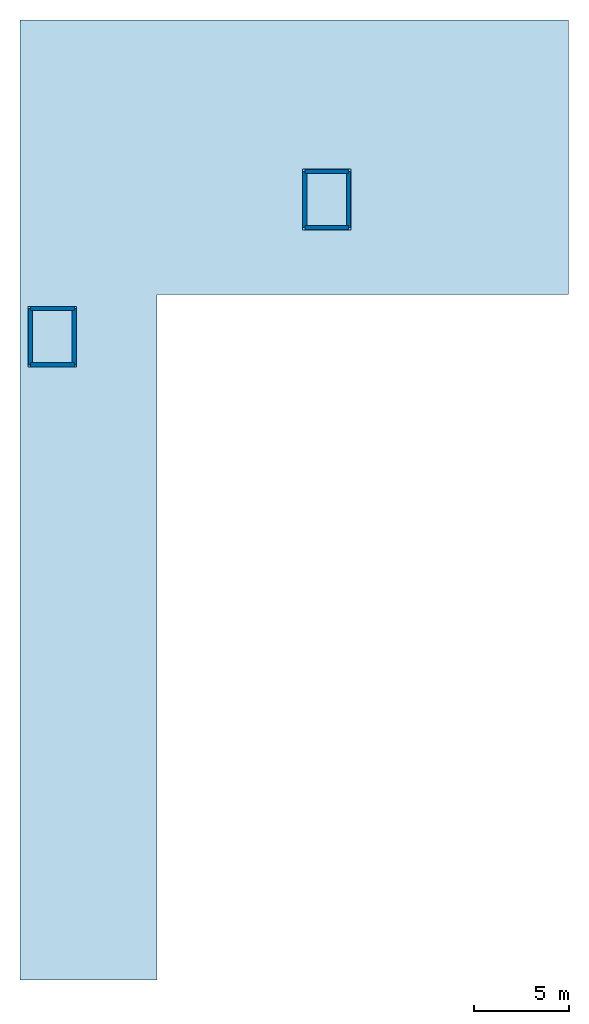
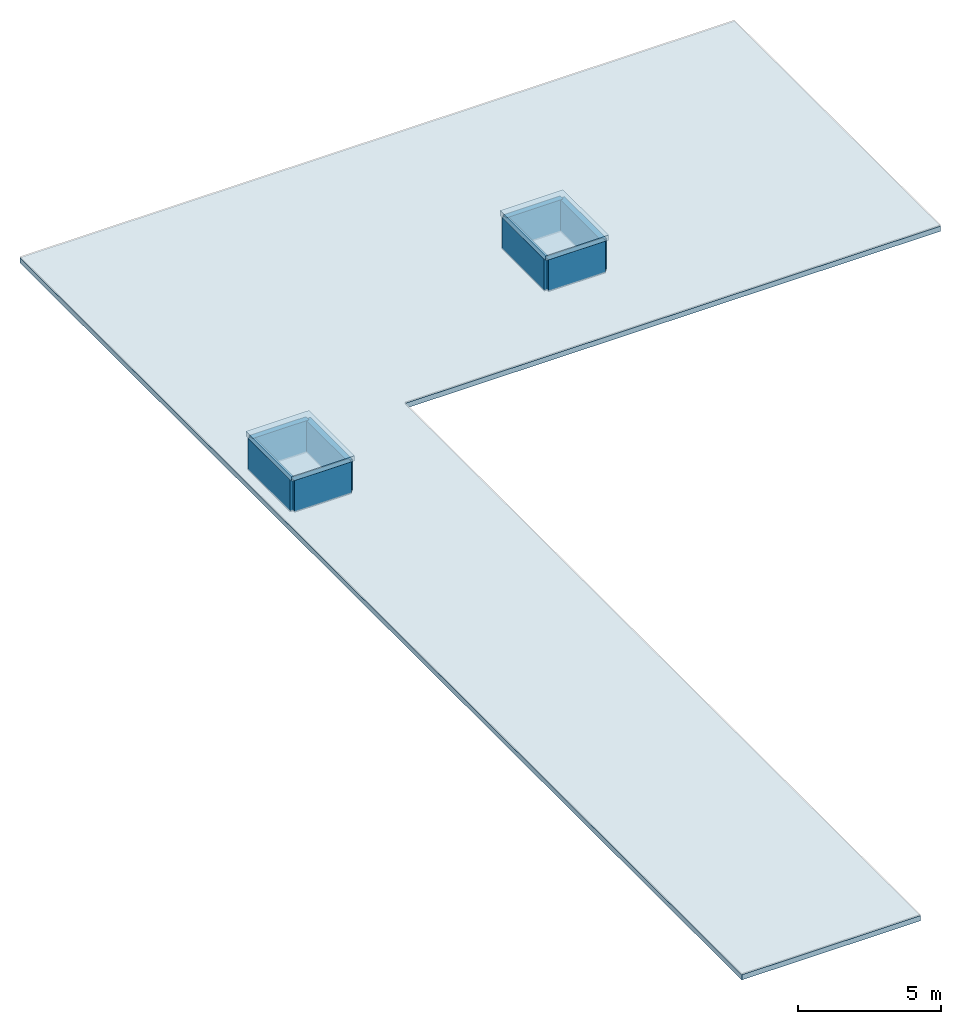
# One storey, part 1 of 2: 8 walls, 3 slabs.
"""IFC4 building model written with IfcOpenShell, lengths in metres."""

from ifc_helpers import new_model, si_unit, direction, frame, frame_2d, origin, place, context, subcontext, project, spatial, polyline, rectangle, outline, extrude, material, layer, layer_set, type_object, element, save


model = new_model("IFC4")

# Units and contexts
model_context = context("Model", 3, precision=1e-05, world=origin(), true_north=direction((0.0, 1.0)))
body_context = subcontext(model_context, "Body", "Model", "MODEL_VIEW")
ifc_project = project(units=[si_unit("LENGTHUNIT", "METRE"), si_unit("AREAUNIT", "SQUARE_METRE"), si_unit("VOLUMEUNIT", "CUBIC_METRE"), si_unit("PLANEANGLEUNIT", "RADIAN"), si_unit("MASSUNIT", "GRAM", prefix="KILO")], contexts=[model_context])

# Site, building, storey
site_placement = place(None, origin())
site = spatial("IfcSite", under=ifc_project, at=site_placement, CompositionType="ELEMENT")
building_placement = place(site_placement, origin())
building = spatial("IfcBuilding", under=site, at=building_placement, Name="Aldebral Square Health Centre", CompositionType="ELEMENT")
storey_placement = place(building_placement, frame((0.0, 0.0, 25.64990234375)))
storey = spatial("IfcBuildingStorey", under=building, at=storey_placement, Name="ROOF", CompositionType="ELEMENT", Elevation=25.64990234375)

# Slabs
ifc_material_1 = material(Name="Concrete C35/45", Category="concrete")
ifc_layer_1 = layer(ifc_material_1, 0.219970703125, Name="Concrete C35/45", Category="concrete")
ifc_layer_set_1 = layer_set([ifc_layer_1], Name="Concrete C35/45")
slab_type = type_object("IfcSlabType", Name="SL-RF-220", PredefinedType="ROOF", material=ifc_layer_set_1)
slab_1_placement = place(storey_placement, frame((0.0, 0.0, -0.219970703125)))
element("IfcSlab", 1, at=slab_1_placement, inside=storey, type_object=slab_type, Name="L05 V4 roof slab 1", PredefinedType="ROOF", context=body_context, shape_type="SweptSolid", body=[
    extrude(outline(polyline([(0.0, 72.0), (0.0, 79.199951171875), (0.0, 86.39990234375), (0.0, 93.60009765625), (0.0, 100.800048828125), (0.0, 108.0), (0.0, 115.199951171875), (7.199951171875, 115.199951171875), (14.39990234375, 115.199951171875), (21.60009765625, 115.199951171875), (28.800048828125, 115.199951171875), (28.800048828125, 108.0), (28.800048828125, 100.800048828125), (21.60009765625, 100.800048828125), (14.39990234375, 100.800048828125), (7.199951171875, 100.800048828125), (7.199951171875, 93.60009765625), (7.199951171875, 86.39990234375), (7.199951171875, 79.199951171875), (7.199951171875, 72.0), (7.199951171875, 64.800048828125), (0.0, 64.800048828125), (0.0, 72.0)])), origin(), (0.0, 0.0, 1.0), 0.219970703125),
])
slab_2_placement = place(storey_placement, frame((0.0, 0.0, 1.35009765625)))
element("IfcSlab", 2, at=slab_2_placement, inside=storey, type_object=slab_type, Name="LF-01 overrun roof cap", PredefinedType="ROOF", context=body_context, shape_type="SweptSolid", body=[
    extrude(outline(polyline([(0.429931640625, 96.97998046875), (2.969970703125, 96.97998046875), (2.969970703125, 100.169921875), (0.429931640625, 100.169921875), (0.429931640625, 96.97998046875)])), origin(), (0.0, 0.0, 1.0), 0.219970703125),
])
slab_3_placement = place(storey_placement, frame((0.0, 0.0, 1.35009765625)))
element("IfcSlab", 3, at=slab_3_placement, inside=storey, type_object=slab_type, Name="LF-02 overrun roof cap", PredefinedType="ROOF", context=body_context, shape_type="SweptSolid", body=[
    extrude(outline(polyline([(14.830078125, 104.179931640625), (17.3701171875, 104.179931640625), (17.3701171875, 107.3701171875), (14.830078125, 107.3701171875), (14.830078125, 104.179931640625)])), origin(), (0.0, 0.0, 1.0), 0.219970703125),
])

# Walls
ifc_material_2 = material(Name="Concrete C40/50", Category="concrete")
ifc_layer_2 = layer(ifc_material_2, 0.219970703125, Name="Concrete C40/50", Category="concrete")
ifc_layer_set_2 = layer_set([ifc_layer_2], Name="Concrete C40/50")
wall_type = type_object("IfcWallType", Name="IW-LFT-220", PredefinedType="SHEAR", material=ifc_layer_set_2)
wall_1_placement = place(storey_placement, frame((0.550048828125, 97.10009765625, 0.0), z_axis=(0.0, 0.0, 1.0), x_axis=(1.0, 0.0, 0.0)))
element("IfcWall", 4, at=wall_1_placement, inside=storey, type_object=wall_type, Name="LF-01 overrun wall 1", PredefinedType="SHEAR", context=body_context, shape_type="SweptSolid", body=[
    extrude(rectangle(XDim=2.300048828125, YDim=0.219970703125, at=frame_2d((1.14990234375, 0.0))), origin(), (0.0, 0.0, 1.0), 1.35009765625),
])
wall_2_placement = place(storey_placement, frame((2.85009765625, 97.10009765625, 0.0), z_axis=(0.0, 0.0, 1.0), x_axis=(0.0, 1.0, 0.0)))
element("IfcWall", 5, at=wall_2_placement, inside=storey, type_object=wall_type, Name="LF-01 overrun wall 2", PredefinedType="SHEAR", context=body_context, shape_type="SweptSolid", body=[
    extrude(rectangle(XDim=2.949951171875, YDim=0.219970703125, at=frame_2d((1.47509765625, 0.0))), origin(), (0.0, 0.0, 1.0), 1.35009765625),
])
wall_3_placement = place(storey_placement, frame((2.85009765625, 100.050048828125, 0.0), z_axis=(0.0, 0.0, 1.0), x_axis=(-1.0, 0.0, 0.0)))
element("IfcWall", 6, at=wall_3_placement, inside=storey, type_object=wall_type, Name="LF-01 overrun wall 3", PredefinedType="SHEAR", context=body_context, shape_type="SweptSolid", body=[
    extrude(rectangle(XDim=2.300048828125, YDim=0.219970703125, at=frame_2d((1.14990234375, 0.0))), origin(), (0.0, 0.0, 1.0), 1.35009765625),
])
wall_4_placement = place(storey_placement, frame((0.550048828125, 100.050048828125, 0.0), z_axis=(0.0, 0.0, 1.0), x_axis=(0.0, -1.0, 0.0)))
element("IfcWall", 7, at=wall_4_placement, inside=storey, type_object=wall_type, Name="LF-01 overrun wall 4", PredefinedType="SHEAR", context=body_context, shape_type="SweptSolid", body=[
    extrude(rectangle(XDim=2.949951171875, YDim=0.219970703125, at=frame_2d((1.47509765625, 0.0))), origin(), (0.0, 0.0, 1.0), 1.35009765625),
])
wall_5_placement = place(storey_placement, frame((14.949951171875, 104.300048828125, 0.0), z_axis=(0.0, 0.0, 1.0), x_axis=(1.0, 0.0, 0.0)))
element("IfcWall", 8, at=wall_5_placement, inside=storey, type_object=wall_type, Name="LF-02 overrun wall 1", PredefinedType="SHEAR", context=body_context, shape_type="SweptSolid", body=[
    extrude(rectangle(XDim=2.300048828125, YDim=0.219970703125, at=frame_2d((1.14990234375, 0.0))), origin(), (0.0, 0.0, 1.0), 1.35009765625),
])
wall_6_placement = place(storey_placement, frame((17.25, 104.300048828125, 0.0), z_axis=(0.0, 0.0, 1.0), x_axis=(0.0, 1.0, 0.0)))
element("IfcWall", 9, at=wall_6_placement, inside=storey, type_object=wall_type, Name="LF-02 overrun wall 2", PredefinedType="SHEAR", context=body_context, shape_type="SweptSolid", body=[
    extrude(rectangle(XDim=2.949951171875, YDim=0.219970703125, at=frame_2d((1.47509765625, 0.0))), origin(), (0.0, 0.0, 1.0), 1.35009765625),
])
wall_7_placement = place(storey_placement, frame((17.25, 107.25, 0.0), z_axis=(0.0, 0.0, 1.0), x_axis=(-1.0, 0.0, 0.0)))
element("IfcWall", 10, at=wall_7_placement, inside=storey, type_object=wall_type, Name="LF-02 overrun wall 3", PredefinedType="SHEAR", context=body_context, shape_type="SweptSolid", body=[
    extrude(rectangle(XDim=2.300048828125, YDim=0.219970703125, at=frame_2d((1.14990234375, 0.0))), origin(), (0.0, 0.0, 1.0), 1.35009765625),
])
wall_8_placement = place(storey_placement, frame((14.949951171875, 107.25, 0.0), z_axis=(0.0, 0.0, 1.0), x_axis=(0.0, -1.0, 0.0)))
element("IfcWall", 11, at=wall_8_placement, inside=storey, type_object=wall_type, Name="LF-02 overrun wall 4", PredefinedType="SHEAR", context=body_context, shape_type="SweptSolid", body=[
    extrude(rectangle(XDim=2.949951171875, YDim=0.219970703125, at=frame_2d((1.47509765625, 0.0))), origin(), (0.0, 0.0, 1.0), 1.35009765625),
])

save(model, "model.ifc")
